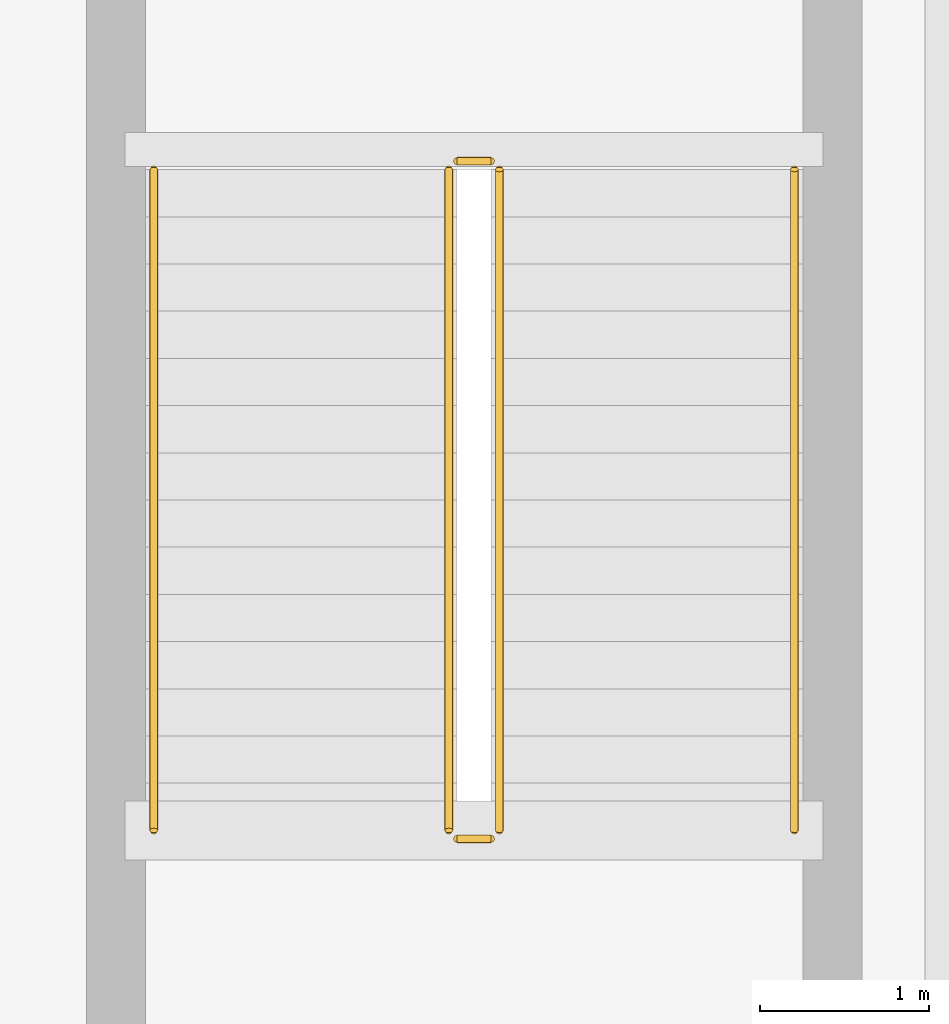
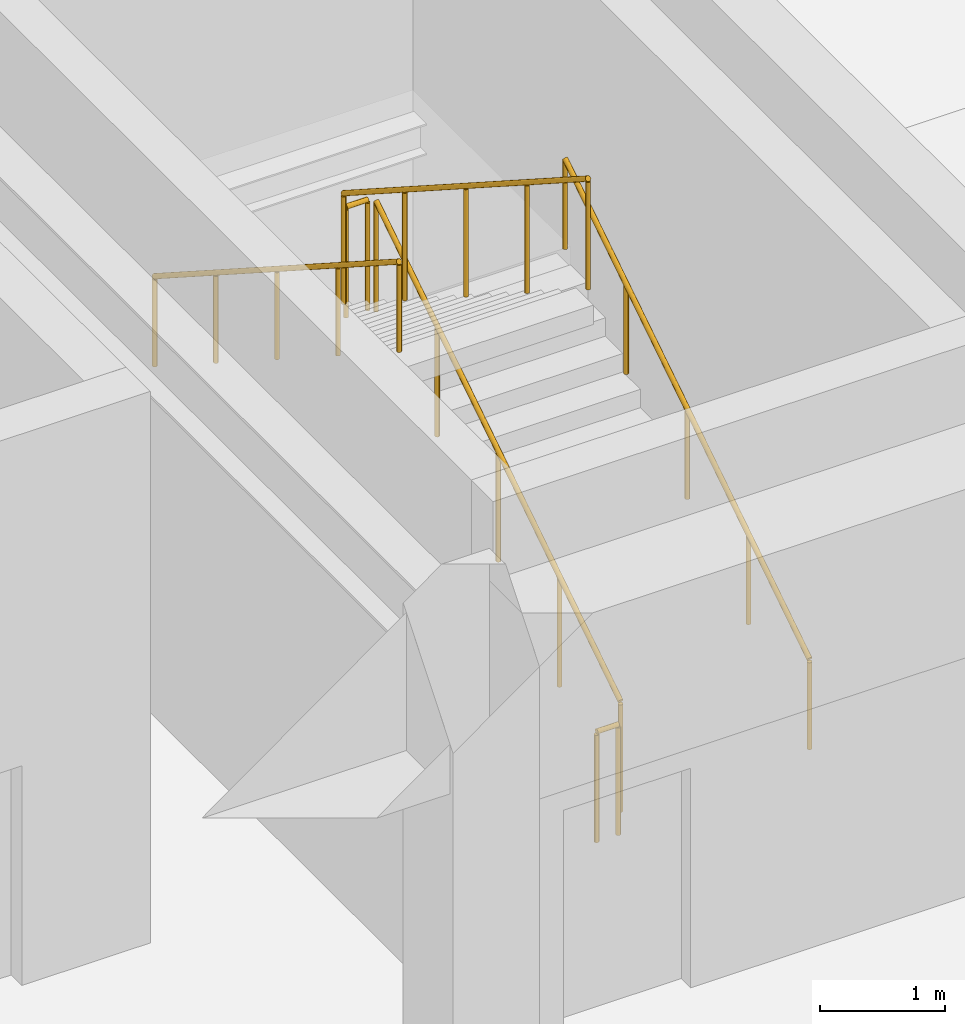
# One storey, part 85 of 91: 6 railings.
"""IFC4 building model written with IfcOpenShell, lengths in metres."""

from ifc_helpers import new_model, si_unit, direction, frame, origin, origin_2d, place, context, subcontext, project, spatial, circle, extrude, material, type_object, element, save


model = new_model("IFC4")

# Units and contexts
model_context = context("Model", 3, precision=1e-05, world=origin(), true_north=direction((0.0, 1.0)))
body_context = subcontext(model_context, "Body", "Model", "MODEL_VIEW")
ifc_project = project(units=[si_unit("LENGTHUNIT", "METRE"), si_unit("AREAUNIT", "SQUARE_METRE"), si_unit("VOLUMEUNIT", "CUBIC_METRE"), si_unit("PLANEANGLEUNIT", "RADIAN"), si_unit("MASSUNIT", "GRAM", prefix="KILO")], contexts=[model_context])

# Site, building, storey
site_placement = place(None, origin())
site = spatial("IfcSite", under=ifc_project, at=site_placement, CompositionType="ELEMENT")
building_placement = place(site_placement, origin())
building = spatial("IfcBuilding", under=site, at=building_placement, Name="Vaelkrest Opera House", CompositionType="ELEMENT")
storey_placement = place(building_placement, origin())
storey = spatial("IfcBuildingStorey", under=building, at=storey_placement, Name="L00", CompositionType="ELEMENT", Elevation=0.0)

# Railings
ifc_material = material(Name="Dark bronze anodized aluminium", Category="aluminium")
railing_type_1 = type_object("IfcRailingType", Name="GR02", PredefinedType="GUARDRAIL", material=ifc_material)
railing_1_placement = place(storey_placement, frame((-20.800048828125, -25.64990234375, 0.179931640625)))
element("IfcRailing", 1, at=railing_1_placement, inside=storey, type_object=railing_type_1, Name="L00 ST01 stair guard 1", PredefinedType="GUARDRAIL", context=body_context, shape_type="SweptSolid", body=[
    extrude(circle(Radius=0.02392578125, at=origin_2d()), frame((0.0, 0.0, 1.076171875), z_axis=(0.0, 0.841171666519, 0.540768182723), x_axis=(-1.0, 0.0, 0.0)), (0.0, 0.0, 1.0), 4.66015625),
    extrude(circle(Radius=0.02099609375, at=origin_2d()), origin(), (0.0, 0.0, 1.0), 1.052001953125),
    extrude(circle(Radius=0.02099609375, at=origin_2d()), frame((0.0, 0.97998046875, 0.6298828125)), (0.0, 0.0, 1.0), 1.052001953125),
    extrude(circle(Radius=0.02099609375, at=origin_2d()), frame((0.0, 1.9599609375, 1.260009765625)), (0.0, 0.0, 1.0), 1.052001953125),
    extrude(circle(Radius=0.02099609375, at=origin_2d()), frame((0.0, 2.93994140625, 1.89013671875)), (0.0, 0.0, 1.0), 1.052001953125),
    extrude(circle(Radius=0.02099609375, at=origin_2d()), frame((0.0, 3.919921875, 2.52001953125)), (0.0, 0.0, 1.0), 1.052001953125),
])
railing_2_placement = place(storey_placement, frame((-20.85009765625, -21.679931640625, 2.699951171875)))
element("IfcRailing", 2, at=railing_2_placement, inside=storey, type_object=railing_type_1, Name="L00 ST01 stair guard 2", PredefinedType="GUARDRAIL", context=body_context, shape_type="SweptSolid", body=[
    extrude(circle(Radius=0.02392578125, at=origin_2d()), frame((0.0, 0.0, 1.076171875), z_axis=(-1.0, 0.0, 0.0), x_axis=(0.0, -1.0, 0.0)), (0.0, 0.0, 1.0), 0.199951171875),
    extrude(circle(Radius=0.02099609375, at=origin_2d()), origin(), (0.0, 0.0, 1.0), 1.052001953125),
    extrude(circle(Radius=0.02099609375, at=origin_2d()), frame((-0.199951171875, 0.0, 0.0)), (0.0, 0.0, 1.0), 1.052001953125),
])
railing_3_placement = place(storey_placement, frame((-21.10009765625, -21.72998046875, 2.8798828125)))
element("IfcRailing", 3, at=railing_3_placement, inside=storey, type_object=railing_type_1, Name="L00 ST01 stair guard 3", PredefinedType="GUARDRAIL", context=body_context, shape_type="SweptSolid", body=[
    extrude(circle(Radius=0.02392578125, at=origin_2d()), frame((0.0, 0.0, 1.076171875), z_axis=(0.0, -0.841171666519, 0.540768182723), x_axis=(1.0, 0.0, 0.0)), (0.0, 0.0, 1.0), 4.66015625),
    extrude(circle(Radius=0.02099609375, at=origin_2d()), origin(), (0.0, 0.0, 1.0), 1.052001953125),
    extrude(circle(Radius=0.02099609375, at=origin_2d()), frame((0.0, -0.97998046875, 0.6298828125)), (0.0, 0.0, 1.0), 1.052001953125),
    extrude(circle(Radius=0.02099609375, at=origin_2d()), frame((0.0, -1.9599609375, 1.260009765625)), (0.0, 0.0, 1.0), 1.052001953125),
    extrude(circle(Radius=0.02099609375, at=origin_2d()), frame((0.0, -2.93994140625, 1.89013671875)), (0.0, 0.0, 1.0), 1.052001953125),
    extrude(circle(Radius=0.02099609375, at=origin_2d()), frame((0.0, -3.919921875, 2.52001953125)), (0.0, 0.0, 1.0), 1.052001953125),
])
railing_4_placement = place(storey_placement, frame((-20.85009765625, -25.699951171875, 0.0)))
element("IfcRailing", 4, at=railing_4_placement, inside=storey, type_object=railing_type_1, Name="L00 ST01 stair guard 4", PredefinedType="GUARDRAIL", context=body_context, shape_type="SweptSolid", body=[
    extrude(circle(Radius=0.02392578125, at=origin_2d()), frame((0.0, 0.0, 1.076171875), z_axis=(-1.0, 0.0, 0.0), x_axis=(0.0, -1.0, 0.0)), (0.0, 0.0, 1.0), 0.199951171875),
    extrude(circle(Radius=0.02099609375, at=origin_2d()), origin(), (0.0, 0.0, 1.0), 1.052001953125),
    extrude(circle(Radius=0.02099609375, at=origin_2d()), frame((-0.199951171875, 0.0, 0.0)), (0.0, 0.0, 1.0), 1.052001953125),
])
railing_type_2 = type_object("IfcRailingType", Name="HR02", PredefinedType="HANDRAIL", material=ifc_material)
railing_5_placement = place(storey_placement, frame((-19.050048828125, -25.64990234375, 0.179931640625)))
element("IfcRailing", 5, at=railing_5_placement, inside=storey, type_object=railing_type_2, Name="L00 ST01 stair handrail 1", PredefinedType="HANDRAIL", context=body_context, shape_type="SweptSolid", body=[
    extrude(circle(Radius=0.02392578125, at=origin_2d()), frame((0.0, 0.0, 0.8759765625), z_axis=(0.0, 0.841171666519, 0.540768182723), x_axis=(-1.0, 0.0, 0.0)), (0.0, 0.0, 1.0), 4.66015625),
    extrude(circle(Radius=0.02099609375, at=origin_2d()), origin(), (0.0, 0.0, 1.0), 0.851806640625),
    extrude(circle(Radius=0.02099609375, at=origin_2d()), frame((0.0, 0.97998046875, 0.6298828125)), (0.0, 0.0, 1.0), 0.851806640625),
    extrude(circle(Radius=0.02099609375, at=origin_2d()), frame((0.0, 1.9599609375, 1.260009765625)), (0.0, 0.0, 1.0), 0.851806640625),
    extrude(circle(Radius=0.02099609375, at=origin_2d()), frame((0.0, 2.93994140625, 1.89013671875)), (0.0, 0.0, 1.0), 0.851806640625),
    extrude(circle(Radius=0.02099609375, at=origin_2d()), frame((0.0, 3.919921875, 2.52001953125)), (0.0, 0.0, 1.0), 0.851806640625),
])
railing_6_placement = place(storey_placement, frame((-22.85009765625, -21.72998046875, 2.8798828125)))
element("IfcRailing", 6, at=railing_6_placement, inside=storey, type_object=railing_type_2, Name="L00 ST01 stair handrail 2", PredefinedType="HANDRAIL", context=body_context, shape_type="SweptSolid", body=[
    extrude(circle(Radius=0.02392578125, at=origin_2d()), frame((0.0, 0.0, 0.8759765625), z_axis=(0.0, -0.841171666519, 0.540768182723), x_axis=(1.0, 0.0, 0.0)), (0.0, 0.0, 1.0), 4.66015625),
    extrude(circle(Radius=0.02099609375, at=origin_2d()), origin(), (0.0, 0.0, 1.0), 0.851806640625),
    extrude(circle(Radius=0.02099609375, at=origin_2d()), frame((0.0, -0.97998046875, 0.6298828125)), (0.0, 0.0, 1.0), 0.851806640625),
    extrude(circle(Radius=0.02099609375, at=origin_2d()), frame((0.0, -1.9599609375, 1.260009765625)), (0.0, 0.0, 1.0), 0.851806640625),
    extrude(circle(Radius=0.02099609375, at=origin_2d()), frame((0.0, -2.93994140625, 1.89013671875)), (0.0, 0.0, 1.0), 0.851806640625),
    extrude(circle(Radius=0.02099609375, at=origin_2d()), frame((0.0, -3.919921875, 2.52001953125)), (0.0, 0.0, 1.0), 0.851806640625),
])

save(model, "model.ifc")
